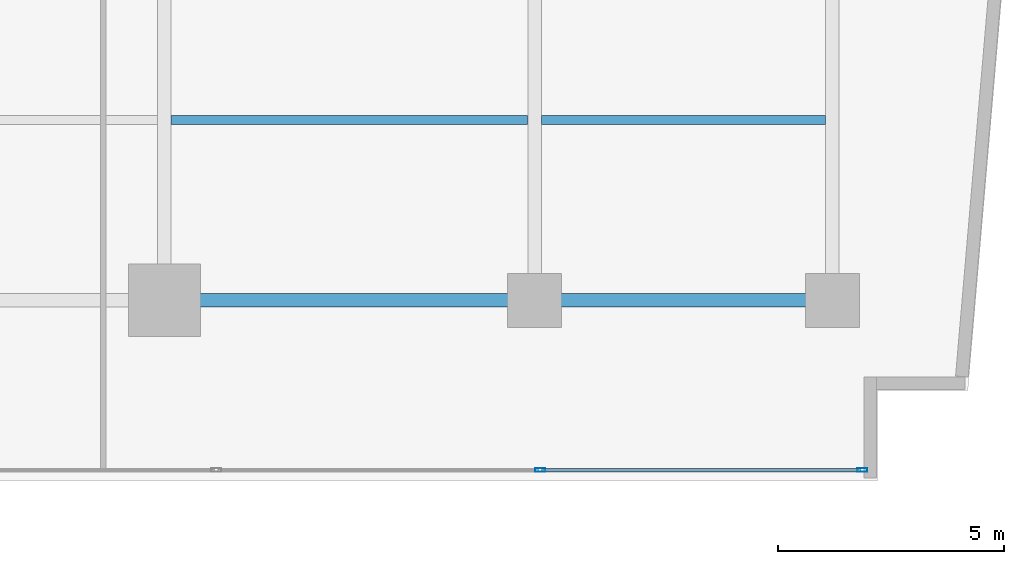
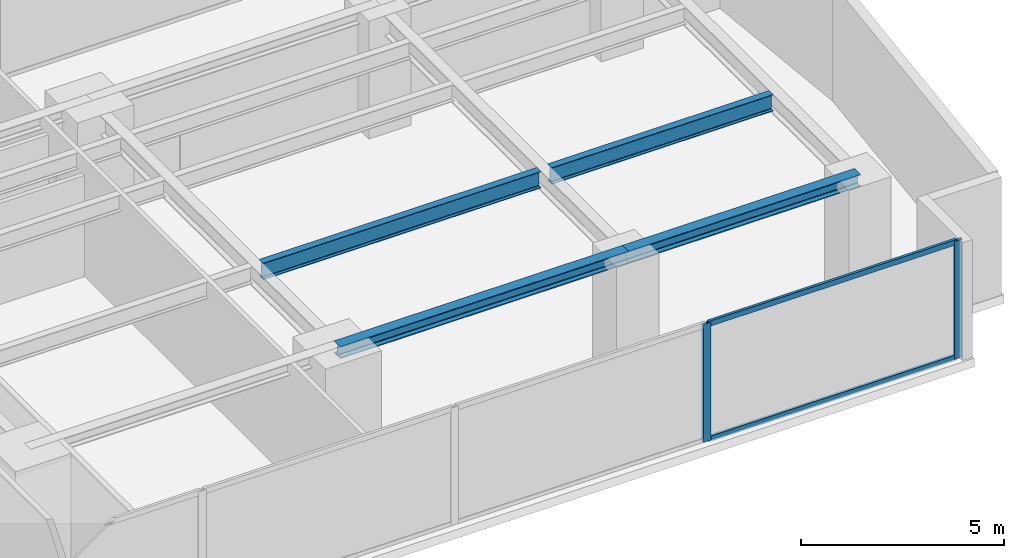
# One storey, part 11 of 29: 4 beams, 4 members, 1 element without a shape of its own.
"""IFC4 building model written with IfcOpenShell, lengths in metres."""

from ifc_helpers import new_model, si_unit, direction, frame, origin, origin_with_axes, origin_2d, place, context, subcontext, project, spatial, hollow_rectangle, i_section, extrude, source, transform, mapped, material, layer, layer_set, material_profile, profile_set, type_object, element, aggregate, save


model = new_model("IFC4")

# Units and contexts
model_context = context("Model", 3, precision=1e-05, world=origin(), true_north=direction((0.0, 1.0)))
body_context = subcontext(model_context, "Body", "Model", "MODEL_VIEW")
ifc_project = project(units=[si_unit("LENGTHUNIT", "METRE"), si_unit("AREAUNIT", "SQUARE_METRE"), si_unit("VOLUMEUNIT", "CUBIC_METRE"), si_unit("PLANEANGLEUNIT", "RADIAN"), si_unit("MASSUNIT", "GRAM", prefix="KILO")], contexts=[model_context])

# Site, building, storey
site_placement = place(None, origin())
site = spatial("IfcSite", under=ifc_project, at=site_placement, CompositionType="ELEMENT")
building_placement = place(site_placement, origin())
building = spatial("IfcBuilding", under=site, at=building_placement, Name="Kolvaren Waterfront Exchange", CompositionType="ELEMENT")
storey_placement = place(building_placement, frame((0.0, 0.0, 37.199951171875)))
storey = spatial("IfcBuildingStorey", under=building, at=storey_placement, Name="L09", CompositionType="ELEMENT", Elevation=37.199951171875)

# Beams
ifc_material_1 = material(Name="Steel S355", Category="steel")
ifc_material_profile_1 = material_profile(ifc_material_1, i_section(OverallWidth=0.300048828125, OverallDepth=0.360107421875, WebThickness=0.012451171875, FlangeThickness=0.0224609375, FilletRadius=0.027099609375, at=origin_2d()), Name="HEB360")
ifc_profile_set_1 = profile_set([ifc_material_profile_1], Name="Steel S355")
beam_type_1 = type_object("IfcBeamType", Name="STR-BM-HEB360", PredefinedType="SPANDREL", material=ifc_profile_set_1)
beam_1_placement = place(storey_placement, frame((45.60009765625, 5.199951171875, 3.360107421875), z_axis=(1.0, 0.0, 0.0), x_axis=(0.0, 1.0, 0.0)))
element("IfcBeam", 1, at=beam_1_placement, inside=storey, type_object=beam_type_1, Name="L09 east-arm spandrel S4", PredefinedType="SPANDREL", context=body_context, shape_type="SweptSolid", body=[
    extrude(i_section(OverallWidth=0.300048828125, OverallDepth=0.360107421875, WebThickness=0.012451171875, FlangeThickness=0.0224609375, FilletRadius=0.027099609375, at=origin_2d()), origin(), (0.0, 0.0, 1.0), 8.199951171875),
])
beam_2_placement = place(storey_placement, frame((53.800048828125, 5.199951171875, 3.360107421875), z_axis=(1.0, 0.0, 0.0), x_axis=(0.0, 1.0, 0.0)))
element("IfcBeam", 2, at=beam_2_placement, inside=storey, type_object=beam_type_1, Name="L09 east-arm spandrel S5", PredefinedType="SPANDREL", context=body_context, shape_type="SweptSolid", body=[
    extrude(i_section(OverallWidth=0.300048828125, OverallDepth=0.360107421875, WebThickness=0.012451171875, FlangeThickness=0.0224609375, FilletRadius=0.027099609375, at=origin_2d()), origin(), (0.0, 0.0, 1.0), 6.599853515625),
])
ifc_material_profile_2 = material_profile(ifc_material_1, i_section(OverallWidth=0.199951171875, OverallDepth=0.5, WebThickness=0.01025390625, FlangeThickness=0.01611328125, FilletRadius=0.02099609375, at=origin_2d()), Name="IPE500")
ifc_profile_set_2 = profile_set([ifc_material_profile_2], Name="Steel S355")
beam_type_2 = type_object("IfcBeamType", Name="STR-BM-IPE500", PredefinedType="JOIST", material=ifc_profile_set_2)
beam_3_placement = place(storey_placement, frame((45.751953125, 9.199951171875, 3.2900390625), z_axis=(1.0, 0.0, 0.0), x_axis=(0.0, 1.0, 0.0)))
element("IfcBeam", 3, at=beam_3_placement, inside=storey, type_object=beam_type_2, Name="L09 east-arm composite joist 4B", PredefinedType="JOIST", context=body_context, shape_type="SweptSolid", body=[
    extrude(i_section(OverallWidth=0.199951171875, OverallDepth=0.5, WebThickness=0.01025390625, FlangeThickness=0.01611328125, FilletRadius=0.02099609375, at=origin_2d()), origin(), (0.0, 0.0, 1.0), 7.89599609375),
])
beam_4_placement = place(storey_placement, frame((53.951904296875, 9.199951171875, 3.2900390625), z_axis=(1.0, 0.0, 0.0), x_axis=(0.0, 1.0, 0.0)))
element("IfcBeam", 4, at=beam_4_placement, inside=storey, type_object=beam_type_2, Name="L09 east-arm composite joist 5B", PredefinedType="JOIST", context=body_context, shape_type="SweptSolid", body=[
    extrude(i_section(OverallWidth=0.199951171875, OverallDepth=0.5, WebThickness=0.01025390625, FlangeThickness=0.01611328125, FilletRadius=0.02099609375, at=origin_2d()), origin(), (0.0, 0.0, 1.0), 6.296142578125),
])

# Curtain wall, members
ifc_material_2 = material(Name="Anodised bronze aluminium 6063-T6", Category="aluminium")
ifc_layer = layer(ifc_material_2, 0.219970703125, Name="Anodised bronze aluminium 6063-T6")
ifc_layer_set = layer_set([ifc_layer], Name="Anodised bronze aluminium 6063-T6")
curtain_wall_type = type_object("IfcCurtainWallType", Name="ARC-CW-SYS1", PredefinedType="USERDEFINED", material=ifc_layer_set)
curtain_wall_placement = place(storey_placement, origin())
curtain_wall = element("IfcCurtainWall", 5, at=curtain_wall_placement, inside=storey, type_object=curtain_wall_type, Name="L09 stick curtain wall CW1 (CW-L09-S)", ObjectType="STICK CURTAIN WALL", PredefinedType="USERDEFINED")
ifc_material_3 = material(Name="Anodised aluminium 6063-T6", Category="aluminium")
ifc_material_profile_3 = material_profile(ifc_material_3, hollow_rectangle(XDim=0.074951171875, YDim=0.159912109375, WallThickness=0.00439453125, at=origin_2d()), Name="ALU-TRN-160x75x4.5")
ifc_profile_set_3 = profile_set([ifc_material_profile_3], Name="Anodised aluminium 6063-T6")
member_type_1 = type_object("IfcMemberType", Name="ARC-CWT-160", PredefinedType="USERDEFINED", material=ifc_profile_set_3)
shared_shape_1 = source(origin_with_axes(), body_context, "Body", "SweptSolid", [
    extrude(hollow_rectangle(XDim=0.074951171875, YDim=0.159912109375, WallThickness=0.00439453125, at=origin_2d()), origin(), (0.0, 0.0, 1.0), 7.054931640625),
])
member_1_placement = place(storey_placement, frame((53.965087890625, 1.43994140625, 0.03759765625), z_axis=(1.0, 0.0, 0.0), x_axis=(0.0, 1.0, 0.0)))
member_1 = element("IfcMember", 6, at=member_1_placement, type_object=member_type_1, Name="CW1 transom 8.1", ObjectType="TRANSOM", PredefinedType="USERDEFINED", context=body_context, shape_type="MappedRepresentation", body=[
    mapped(shared_shape_1, transform((0.0, 0.0, 0.0), x_axis=(1.0, 0.0, 0.0), y_axis=(0.0, 1.0, 0.0), z_axis=(0.0, 0.0, 1.0), scale=1.0)),
])
member_2_placement = place(storey_placement, frame((53.965087890625, 1.43994140625, 3.50244140625), z_axis=(1.0, 0.0, 0.0), x_axis=(0.0, 1.0, 0.0)))
member_2 = element("IfcMember", 7, at=member_2_placement, type_object=member_type_1, Name="CW1 transom 8.2", ObjectType="TRANSOM", PredefinedType="USERDEFINED", context=body_context, shape_type="MappedRepresentation", body=[
    mapped(shared_shape_1, transform((0.0, 0.0, 0.0), x_axis=(1.0, 0.0, 0.0), y_axis=(0.0, 1.0, 0.0), z_axis=(0.0, 0.0, 1.0), scale=1.0)),
])
ifc_material_profile_4 = material_profile(ifc_material_3, hollow_rectangle(XDim=0.080078125, YDim=0.219970703125, WallThickness=0.0048828125, at=origin_2d()), Name="ALU-MUL-220x80x5")
ifc_profile_set_4 = profile_set([ifc_material_profile_4], Name="Anodised aluminium 6063-T6")
member_type_2 = type_object("IfcMemberType", Name="ARC-CWM-220", PredefinedType="MULLION", material=ifc_profile_set_4)
shared_shape_2 = source(origin_with_axes(), body_context, "Body", "SweptSolid", [
    extrude(hollow_rectangle(XDim=0.080078125, YDim=0.219970703125, WallThickness=0.0048828125, at=origin_2d()), origin(), (0.0, 0.0, 1.0), 3.5400390625),
])
member_3_placement = place(storey_placement, frame((53.925048828125, 1.43994140625, 0.0), z_axis=(0.0, 0.0, 1.0), x_axis=(0.0, 1.0, 0.0)))
member_3 = element("IfcMember", 8, at=member_3_placement, type_object=member_type_2, Name="CW1 mullion 8", PredefinedType="MULLION", context=body_context, shape_type="MappedRepresentation", body=[
    mapped(shared_shape_2, transform((0.0, 0.0, 0.0), x_axis=(1.0, 0.0, 0.0), y_axis=(0.0, 1.0, 0.0), z_axis=(0.0, 0.0, 1.0), scale=1.0)),
])
member_4_placement = place(storey_placement, frame((61.06005859375, 1.43994140625, 0.0), z_axis=(0.0, 0.0, 1.0), x_axis=(0.0, 1.0, 0.0)))
member_4 = element("IfcMember", 9, at=member_4_placement, type_object=member_type_2, Name="CW1 mullion 9", PredefinedType="MULLION", context=body_context, shape_type="MappedRepresentation", body=[
    mapped(shared_shape_2, transform((0.0, 0.0, 0.0), x_axis=(1.0, 0.0, 0.0), y_axis=(0.0, 1.0, 0.0), z_axis=(0.0, 0.0, 1.0), scale=1.0)),
])
aggregate(curtain_wall, [member_3, member_4, member_1, member_2])

save(model, "model.ifc")
